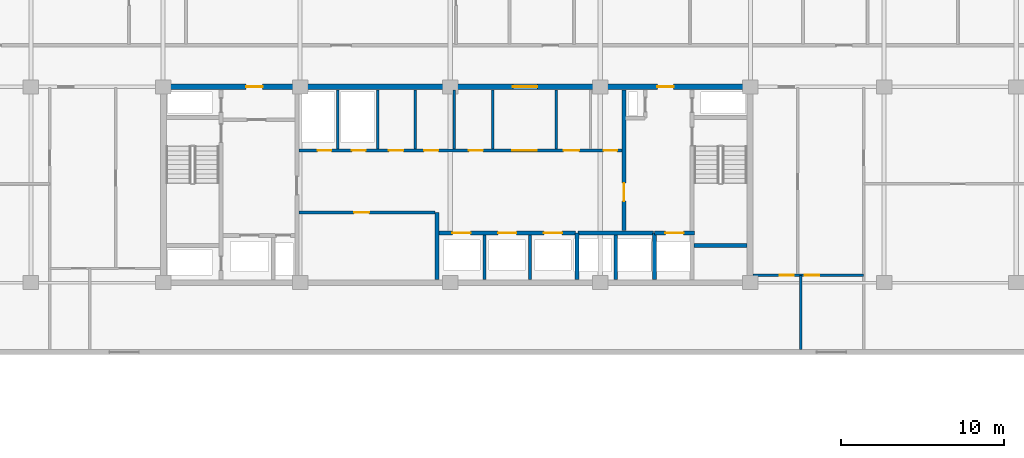
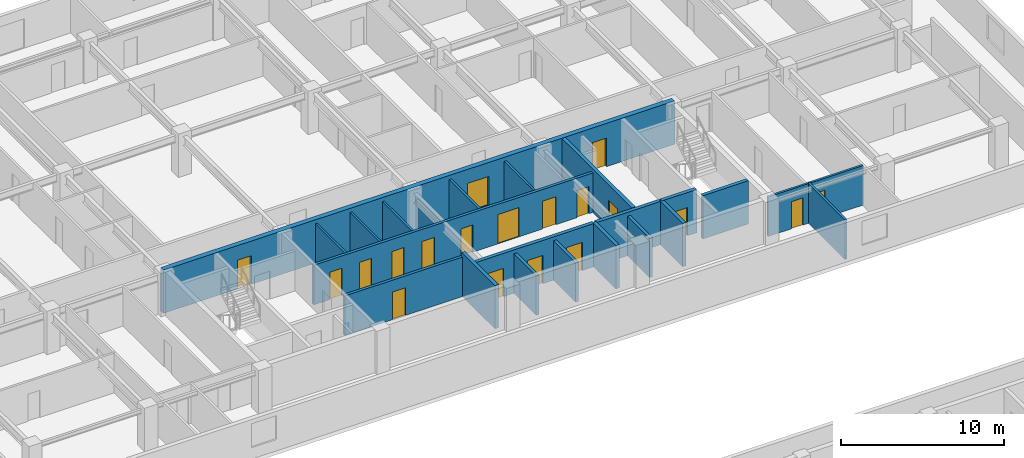
# One storey, part 11 of 21: 22 walls, 19 doors, 19 openings.
"""IFC4 building model written with IfcOpenShell, lengths in metres."""

from ifc_helpers import new_model, si_unit, direction, frame, frame_2d, origin, place, context, subcontext, project, spatial, rectangle, extrude, material, layer, layer_set, type_object, element, fill, save


model = new_model("IFC4")

# Units and contexts
model_context = context("Model", 3, precision=1e-05, world=origin(), true_north=direction((0.0, 1.0)))
body_context = subcontext(model_context, "Body", "Model", "MODEL_VIEW")
ifc_project = project(units=[si_unit("LENGTHUNIT", "METRE"), si_unit("AREAUNIT", "SQUARE_METRE"), si_unit("VOLUMEUNIT", "CUBIC_METRE"), si_unit("PLANEANGLEUNIT", "RADIAN"), si_unit("MASSUNIT", "GRAM", prefix="KILO")], contexts=[model_context])

# Site, building, storey
site_placement = place(None, origin())
site = spatial("IfcSite", under=ifc_project, at=site_placement, CompositionType="ELEMENT")
building_placement = place(site_placement, origin())
building = spatial("IfcBuilding", under=site, at=building_placement, Name="Korimba Cascade Residences", CompositionType="ELEMENT")
storey_placement = place(building_placement, frame((0.0, 0.0, 119.800048828125)))
storey = spatial("IfcBuildingStorey", under=building, at=storey_placement, Name="L34", CompositionType="ELEMENT", Elevation=119.800048828125)

# Wall, openings, doors
ifc_material_1 = material(Name="Concrete C65/80", Category="concrete")
ifc_layer_1 = layer(ifc_material_1, 0.35009765625)
ifc_layer_set_1 = layer_set([ifc_layer_1], Name="Concrete C65/80")
wall_type_1 = type_object("IfcWallType", Name="WAL-CORE-350", PredefinedType="SHEAR", material=ifc_layer_set_1)
wall_1_placement = place(storey_placement, frame((75.949951171875, 67.199951171875, 0.0), z_axis=(0.0, 0.0, 1.0), x_axis=(1.0, 0.0, 0.0)))
wall_1 = element("IfcWall", 1, at=wall_1_placement, inside=storey, type_object=wall_type_1, Name="L34 Core Shear Wall CW-L34-T1-N", PredefinedType="SHEAR", context=body_context, shape_type="SweptSolid", body=[
    extrude(rectangle(XDim=36.300048828125, YDim=0.35009765625, at=frame_2d((18.14990234375, 0.0))), origin(), (0.0, 0.0, 1.0), 3.25),
])
opening_1_placement = place(wall_1_placement, frame((5.25, 0.0, 0.0)))
opening_1 = element("IfcOpeningElement", 2, at=opening_1_placement, cuts=wall_1, Name="Opening D-FD5", PredefinedType="OPENING", context=body_context, shape_type="SweptSolid", body=[
    extrude(rectangle(XDim=1.0, YDim=2.14990234375, at=frame_2d((0.5, 1.074951171875))), frame((0.0, 0.18505859375, 0.0), z_axis=(0.0, -1.0, 0.0), x_axis=(1.0, 0.0, 0.0)), (0.0, 0.0, 1.0), 0.3701171875),
])
opening_2_placement = place(wall_1_placement, frame((21.60009765625, 0.0, 0.0)))
opening_2 = element("IfcOpeningElement", 3, at=opening_2_placement, cuts=wall_1, Name="Opening D-FD8", PredefinedType="OPENING", context=body_context, shape_type="SweptSolid", body=[
    extrude(rectangle(XDim=1.5, YDim=2.199951171875, at=frame_2d((0.75, 1.10009765625))), frame((0.0, 0.18505859375, 0.0), z_axis=(0.0, -1.0, 0.0), x_axis=(1.0, 0.0, 0.0)), (0.0, 0.0, 1.0), 0.3701171875),
])
opening_3_placement = place(wall_1_placement, frame((30.449951171875, 0.0, 0.0)))
opening_3 = element("IfcOpeningElement", 4, at=opening_3_placement, cuts=wall_1, Name="Opening D-FD5", PredefinedType="OPENING", context=body_context, shape_type="SweptSolid", body=[
    extrude(rectangle(XDim=1.0, YDim=2.14990234375, at=frame_2d((0.5, 1.074951171875))), frame((0.0, 0.18505859375, 0.0), z_axis=(0.0, -1.0, 0.0), x_axis=(1.0, 0.0, 0.0)), (0.0, 0.0, 1.0), 0.3701171875),
])
ifc_material_2 = material(Name="Fire-Rated Acoustic Timber Vestibule Door", Category="wood")
door_type_1 = type_object("IfcDoorType", Name="DR-FD90-1000", OperationType="NOTDEFINED", PredefinedType="DOOR", material=ifc_material_2)
door_1_placement = place(opening_1_placement, origin())
door_1 = element("IfcDoor", 5, at=door_1_placement, inside=storey, type_object=door_type_1, Name="L34 T1 West Core Vestibule Fire Door", OperationType="SINGLE_SWING_LEFT", OverallHeight=2.14990234375, OverallWidth=1.0, PredefinedType="DOOR", context=body_context, shape_type="SweptSolid", body=[
    extrude(rectangle(XDim=1.0, YDim=2.14990234375, at=frame_2d((0.5, 1.074951171875))), frame((0.0, 0.02490234375, 0.0), z_axis=(0.0, -1.0, 0.0), x_axis=(1.0, 0.0, 0.0)), (0.0, 0.0, 1.0), 0.050048828125),
])
fill(opening_1, door_1)
door_2_placement = place(opening_3_placement, origin())
door_2 = element("IfcDoor", 6, at=door_2_placement, inside=storey, type_object=door_type_1, Name="L34 T1 East Firefighting Vestibule Fire Door", OperationType="SINGLE_SWING_RIGHT", OverallHeight=2.14990234375, OverallWidth=1.0, PredefinedType="DOOR", context=body_context, shape_type="SweptSolid", body=[
    extrude(rectangle(XDim=1.0, YDim=2.14990234375, at=frame_2d((0.5, 1.074951171875))), frame((0.0, 0.02490234375, 0.0), z_axis=(0.0, -1.0, 0.0), x_axis=(1.0, 0.0, 0.0)), (0.0, 0.0, 1.0), 0.050048828125),
])
fill(opening_3, door_2)
ifc_material_3 = material(Name="Fire-Rated Glazed Lift Lobby Double Door", Category="glass")
door_type_2 = type_object("IfcDoorType", Name="DR-FD90-1500", OperationType="NOTDEFINED", PredefinedType="DOOR", material=ifc_material_3)
door_3_placement = place(opening_2_placement, origin())
door_3 = element("IfcDoor", 7, at=door_3_placement, inside=storey, type_object=door_type_2, Name="L34 T1 Lift Lobby Fire Door", OperationType="DOUBLE_DOOR_SINGLE_SWING", OverallHeight=2.199951171875, OverallWidth=1.5, PredefinedType="DOOR", context=body_context, shape_type="SweptSolid", body=[
    extrude(rectangle(XDim=1.5, YDim=2.199951171875, at=frame_2d((0.75, 1.10009765625))), frame((0.0, 0.02490234375, 0.0), z_axis=(0.0, -1.0, 0.0), x_axis=(1.0, 0.0, 0.0)), (0.0, 0.0, 1.0), 0.050048828125),
])
fill(opening_2, door_3)

# Walls
ifc_material_4 = material(Name="Insulated Acoustic Stud Partition", Category="gypsum")
ifc_layer_2 = layer(ifc_material_4, 0.14990234375)
ifc_layer_set_2 = layer_set([ifc_layer_2], Name="Insulated Acoustic Stud Partition")
wall_type_2 = type_object("IfcWallType", Name="WAL-PART-150", PredefinedType="PARTITIONING", material=ifc_layer_set_2)
for number, where, z_axis, x_axis, name in (
    (8, (86.800048828125, 63.39990234375, 0.0), (0.0, 0.0, 1.0), (0.0, 1.0, 0.0), "L34 Partition Wall CW-L34-T1-ERDIV"),
    (9, (89.25, 63.39990234375, 0.0), (0.0, 0.0, 1.0), (0.0, 1.0, 0.0), "L34 Partition Wall CW-L34-T1-PRDIV"),
    (10, (91.550048828125, 63.39990234375, 0.0), (0.0, 0.0, 1.0), (0.0, 1.0, 0.0), "L34 Partition Wall CW-L34-T1-CA1W1"),
):
    element("IfcWall", number, at=place(storey_placement, frame(where, z_axis=z_axis, x_axis=x_axis)), inside=storey, type_object=wall_type_2, Name=name, PredefinedType="PARTITIONING", context=body_context, shape_type="SweptSolid", body=[
        extrude(rectangle(XDim=3.60009765625, YDim=0.14990234375, at=frame_2d((1.800048828125, 0.0))), origin(), (0.0, 0.0, 1.0), 2.969970703125),
    ])
wall_2_placement = place(storey_placement, frame((93.949951171875, 63.39990234375, 0.0), z_axis=(0.0, 0.0, 1.0), x_axis=(0.0, 1.0, 0.0)))
element("IfcWall", 11, at=wall_2_placement, inside=storey, type_object=wall_type_2, Name="L34 Partition Wall CW-L34-T1-CA1W2", PredefinedType="PARTITIONING", context=body_context, shape_type="SweptSolid", body=[
    extrude(rectangle(XDim=3.60009765625, YDim=0.14990234375, at=frame_2d((1.800048828125, 0.0))), origin(), (0.0, 0.0, 1.0), 2.277099609375),
])
for number, where, z_axis, x_axis, name in (
    (12, (96.300048828125, 63.39990234375, 0.0), (0.0, 0.0, 1.0), (0.0, 1.0, 0.0), "L34 Partition Wall CW-L34-T1-THW"),
    (13, (100.199951171875, 63.39990234375, 0.0), (0.0, 0.0, 1.0), (0.0, 1.0, 0.0), "L34 Partition Wall CW-L34-T1-THE"),
):
    element("IfcWall", number, at=place(storey_placement, frame(where, z_axis=z_axis, x_axis=x_axis)), inside=storey, type_object=wall_type_2, Name=name, PredefinedType="PARTITIONING", context=body_context, shape_type="SweptSolid", body=[
        extrude(rectangle(XDim=3.60009765625, YDim=0.14990234375, at=frame_2d((1.800048828125, 0.0))), origin(), (0.0, 0.0, 1.0), 2.969970703125),
    ])
wall_3_placement = place(storey_placement, frame((115.199951171875, 51.10009765625, 0.0), z_axis=(0.0, 0.0, 1.0), x_axis=(0.0, 1.0, 0.0)))
element("IfcWall", 14, at=wall_3_placement, inside=storey, type_object=wall_type_2, Name="L34 Partition Wall WAL-L34-T1-FE-VS", PredefinedType="PARTITIONING", context=body_context, shape_type="SweptSolid", body=[
    extrude(rectangle(XDim=4.5498046875, YDim=0.14990234375, at=frame_2d((2.27490234375, 0.0))), origin(), (0.0, 0.0, 1.0), 2.969970703125),
])

# Wall, openings, doors
wall_4_placement = place(storey_placement, frame((112.27001953125, 55.64990234375, 0.0), z_axis=(0.0, 0.0, 1.0), x_axis=(1.0, 0.0, 0.0)))
wall_4 = element("IfcWall", 15, at=wall_4_placement, inside=storey, type_object=wall_type_2, Name="L34 Partition Wall WAL-L34-T1-FE-H", PredefinedType="PARTITIONING", context=body_context, shape_type="SweptSolid", body=[
    extrude(rectangle(XDim=6.760009765625, YDim=0.14990234375, at=frame_2d((3.3798828125, 0.0))), origin(), (0.0, 0.0, 1.0), 2.969970703125),
])
opening_4_placement = place(wall_4_placement, frame((1.6396484375, 0.0, 0.0)))
opening_4 = element("IfcOpeningElement", 16, at=opening_4_placement, cuts=wall_4, Name="Opening D-BT1", PredefinedType="OPENING", context=body_context, shape_type="SweptSolid", body=[
    extrude(rectangle(XDim=0.840087890625, YDim=2.0400390625, at=frame_2d((0.419921875, 1.02001953125))), frame((0.0, 0.0849609375, 0.0), z_axis=(0.0, -1.0, 0.0), x_axis=(1.0, 0.0, 0.0)), (0.0, 0.0, 1.0), 0.169921875),
])
opening_5_placement = place(wall_4_placement, frame((3.160400390625, 0.0, 0.0)))
opening_5 = element("IfcOpeningElement", 17, at=opening_5_placement, cuts=wall_4, Name="Opening D-IN2", PredefinedType="OPENING", context=body_context, shape_type="SweptSolid", body=[
    extrude(rectangle(XDim=0.8798828125, YDim=2.06005859375, at=frame_2d((0.43994140625, 1.030029296875))), frame((0.0, 0.0849609375, 0.0), z_axis=(0.0, -1.0, 0.0), x_axis=(1.0, 0.0, 0.0)), (0.0, 0.0, 1.0), 0.169921875),
])
ifc_material_5 = material(Name="Moisture-Resistant Bathroom Timber Door", Category="wood")
door_type_3 = type_object("IfcDoorType", Name="DR-INT-850", OperationType="NOTDEFINED", PredefinedType="DOOR", material=ifc_material_5)
door_4_placement = place(opening_4_placement, origin())
door_4 = element("IfcDoor", 18, at=door_4_placement, inside=storey, type_object=door_type_3, Name="L34-T1-FE Bathroom Door", OperationType="SINGLE_SWING_RIGHT", OverallHeight=2.0400390625, OverallWidth=0.840087890625, PredefinedType="DOOR", context=body_context, shape_type="SweptSolid", body=[
    extrude(rectangle(XDim=0.840087890625, YDim=2.0400390625, at=frame_2d((0.419921875, 1.02001953125))), frame((0.0, 0.02490234375, 0.0), z_axis=(0.0, -1.0, 0.0), x_axis=(1.0, 0.0, 0.0)), (0.0, 0.0, 1.0), 0.050048828125),
])
fill(opening_4, door_4)
ifc_material_6 = material(Name="Acoustic Timber Bedroom Door", Category="wood")
door_type_4 = type_object("IfcDoorType", Name="DR-INT-880", OperationType="NOTDEFINED", PredefinedType="DOOR", material=ifc_material_6)
door_5_placement = place(opening_5_placement, origin())
door_5 = element("IfcDoor", 19, at=door_5_placement, inside=storey, type_object=door_type_4, Name="L34-T1-FE Bedroom Door", OperationType="SINGLE_SWING_LEFT", OverallHeight=2.06005859375, OverallWidth=0.8798828125, PredefinedType="DOOR", context=body_context, shape_type="SweptSolid", body=[
    extrude(rectangle(XDim=0.8798828125, YDim=2.06005859375, at=frame_2d((0.43994140625, 1.030029296875))), frame((0.0, 0.02490234375, 0.0), z_axis=(0.0, -1.0, 0.0), x_axis=(1.0, 0.0, 0.0)), (0.0, 0.0, 1.0), 0.050048828125),
])
fill(opening_5, door_5)

# Wall, opening, door
ifc_material_7 = material(Name="Concrete C40/50", Category="concrete")
ifc_layer_3 = layer(ifc_material_7, 0.199951171875)
ifc_layer_set_3 = layer_set([ifc_layer_3], Name="Concrete C40/50")
wall_type_3 = type_object("IfcWallType", Name="WAL-PART-200", PredefinedType="PARTITIONING", material=ifc_layer_set_3)
wall_5_placement = place(storey_placement, frame((84.419921875, 59.5, 0.0), z_axis=(0.0, 0.0, 1.0), x_axis=(1.0, 0.0, 0.0)))
wall_5 = element("IfcWall", 20, at=wall_5_placement, inside=storey, type_object=wall_type_3, Name="L34 Partition Wall CW-L34-T1-B1RN", PredefinedType="PARTITIONING", context=body_context, shape_type="SweptSolid", body=[
    extrude(rectangle(XDim=8.360107421875, YDim=0.199951171875, at=frame_2d((4.18017578125, 0.0))), origin(), (0.0, 0.0, 1.0), 2.969970703125),
])
opening_6_placement = place(wall_5_placement, frame((3.39990234375, 0.0, 0.0)))
opening_6 = element("IfcOpeningElement", 21, at=opening_6_placement, cuts=wall_5, Name="Opening D-ST1", PredefinedType="OPENING", context=body_context, shape_type="SweptSolid", body=[
    extrude(rectangle(XDim=0.919921875, YDim=2.080078125, at=frame_2d((0.4599609375, 1.0400390625))), frame((0.0, 0.10986328125, 0.0), z_axis=(0.0, -1.0, 0.0), x_axis=(1.0, 0.0, 0.0)), (0.0, 0.0, 1.0), 0.219970703125),
])
ifc_material_8 = material(Name="Fire-Rated Core Store Door", Category="wood")
door_type_5 = type_object("IfcDoorType", Name="DR-FD60-920", OperationType="NOTDEFINED", PredefinedType="DOOR", material=ifc_material_8)
door_6_placement = place(opening_6_placement, origin())
door_6 = element("IfcDoor", 22, at=door_6_placement, inside=storey, type_object=door_type_5, Name="L34 Resident Storage Door", OperationType="SINGLE_SWING_LEFT", OverallHeight=2.080078125, OverallWidth=0.919921875, PredefinedType="DOOR", context=body_context, shape_type="SweptSolid", body=[
    extrude(rectangle(XDim=0.919921875, YDim=2.080078125, at=frame_2d((0.4599609375, 1.0400390625))), frame((0.0, 0.02490234375, 0.0), z_axis=(0.0, -1.0, 0.0), x_axis=(1.0, 0.0, 0.0)), (0.0, 0.0, 1.0), 0.050048828125),
])
fill(opening_6, door_6)

# Walls
for number, where, z_axis, x_axis, name in (
    (23, (95.800048828125, 55.39990234375, 0.0), (0.0, 0.0, 1.0), (0.0, 1.0, 0.0), "L34 Partition Wall CW-L34-T1-B2D1"),
    (24, (98.60009765625, 55.39990234375, 0.0), (0.0, 0.0, 1.0), (0.0, 1.0, 0.0), "L34 Partition Wall CW-L34-T1-B2D2"),
    (25, (103.85009765625, 55.39990234375, 0.0), (0.0, 0.0, 1.0), (0.0, 1.0, 0.0), "L34 Partition Wall CW-L34-T1-B3D1"),
):
    element("IfcWall", number, at=place(storey_placement, frame(where, z_axis=z_axis, x_axis=x_axis)), inside=storey, type_object=wall_type_3, Name=name, PredefinedType="PARTITIONING", context=body_context, shape_type="SweptSolid", body=[
        extrude(rectangle(XDim=2.72021484375, YDim=0.199951171875, at=frame_2d((1.360107421875, 0.0))), origin(), (0.0, 0.0, 1.0), 2.969970703125),
    ])

# Wall, openings, doors
wall_6_placement = place(storey_placement, frame((84.419921875, 63.300048828125, 0.0), z_axis=(0.0, 0.0, 1.0), x_axis=(1.0, 0.0, 0.0)))
wall_6 = element("IfcWall", 26, at=wall_6_placement, inside=storey, type_object=wall_type_3, Name="L34 Partition Wall CW-L34-T1-SRVROW", PredefinedType="PARTITIONING", context=body_context, shape_type="SweptSolid", body=[
    extrude(rectangle(XDim=19.830078125, YDim=0.199951171875, at=frame_2d((9.9150390625, 0.0))), origin(), (0.0, 0.0, 1.0), 2.969970703125),
])
opening_7_placement = place(wall_6_placement, frame((1.14990234375, 0.0, 0.0)))
opening_7 = element("IfcOpeningElement", 27, at=opening_7_placement, cuts=wall_6, Name="Opening D-RS1", PredefinedType="OPENING", context=body_context, shape_type="SweptSolid", body=[
    extrude(rectangle(XDim=0.85009765625, YDim=2.050048828125, at=frame_2d((0.425048828125, 1.02490234375))), frame((0.0, 0.10986328125, 0.0), z_axis=(0.0, -1.0, 0.0), x_axis=(1.0, 0.0, 0.0)), (0.0, 0.0, 1.0), 0.219970703125),
])
opening_8_placement = place(wall_6_placement, frame((3.25, 0.0, 0.0)))
opening_8 = element("IfcOpeningElement", 28, at=opening_8_placement, cuts=wall_6, Name="Opening D-RS1", PredefinedType="OPENING", context=body_context, shape_type="SweptSolid", body=[
    extrude(rectangle(XDim=0.85009765625, YDim=2.050048828125, at=frame_2d((0.425048828125, 1.02490234375))), frame((0.0, 0.10986328125, 0.0), z_axis=(0.0, -1.0, 0.0), x_axis=(1.0, 0.0, 0.0)), (0.0, 0.0, 1.0), 0.219970703125),
])
opening_9_placement = place(wall_6_placement, frame((13.080078125, 0.0, 0.0)))
opening_9 = element("IfcOpeningElement", 29, at=opening_9_placement, cuts=wall_6, Name="Opening D-FD8", PredefinedType="OPENING", context=body_context, shape_type="SweptSolid", body=[
    extrude(rectangle(XDim=1.5, YDim=2.199951171875, at=frame_2d((0.75, 1.10009765625))), frame((0.0, 0.10986328125, 0.0), z_axis=(0.0, -1.0, 0.0), x_axis=(1.0, 0.0, 0.0)), (0.0, 0.0, 1.0), 0.219970703125),
])
opening_10_placement = place(wall_6_placement, frame((5.530029296875, 0.0, 0.0)))
opening_10 = element("IfcOpeningElement", 30, at=opening_10_placement, cuts=wall_6, Name="Opening D-IN2", PredefinedType="OPENING", context=body_context, shape_type="SweptSolid", body=[
    extrude(rectangle(XDim=0.8798828125, YDim=2.06005859375, at=frame_2d((0.43994140625, 1.030029296875))), frame((0.0, 0.10986328125, 0.0), z_axis=(0.0, -1.0, 0.0), x_axis=(1.0, 0.0, 0.0)), (0.0, 0.0, 1.0), 0.219970703125),
])
opening_11_placement = place(wall_6_placement, frame((7.679931640625, 0.0, 0.0)))
opening_11 = element("IfcOpeningElement", 31, at=opening_11_placement, cuts=wall_6, Name="Opening D-IN2", PredefinedType="OPENING", context=body_context, shape_type="SweptSolid", body=[
    extrude(rectangle(XDim=0.8798828125, YDim=2.06005859375, at=frame_2d((0.43994140625, 1.030029296875))), frame((0.0, 0.10986328125, 0.0), z_axis=(0.0, -1.0, 0.0), x_axis=(1.0, 0.0, 0.0)), (0.0, 0.0, 1.0), 0.219970703125),
])
opening_12_placement = place(wall_6_placement, frame((10.429931640625, 0.0, 0.0)))
opening_12 = element("IfcOpeningElement", 32, at=opening_12_placement, cuts=wall_6, Name="Opening D-RS1", PredefinedType="OPENING", context=body_context, shape_type="SweptSolid", body=[
    extrude(rectangle(XDim=0.85009765625, YDim=2.050048828125, at=frame_2d((0.425048828125, 1.02490234375))), frame((0.0, 0.10986328125, 0.0), z_axis=(0.0, -1.0, 0.0), x_axis=(1.0, 0.0, 0.0)), (0.0, 0.0, 1.0), 0.219970703125),
])
opening_13_placement = place(wall_6_placement, frame((16.22998046875, 0.0, 0.0)))
opening_13 = element("IfcOpeningElement", 33, at=opening_13_placement, cuts=wall_6, Name="Opening D-AC1", PredefinedType="OPENING", context=body_context, shape_type="SweptSolid", body=[
    extrude(rectangle(XDim=0.9599609375, YDim=2.10009765625, at=frame_2d((0.47998046875, 1.050048828125))), frame((0.0, 0.10986328125, 0.0), z_axis=(0.0, -1.0, 0.0), x_axis=(1.0, 0.0, 0.0)), (0.0, 0.0, 1.0), 0.219970703125),
])
opening_14_placement = place(wall_6_placement, frame((18.679931640625, 0.0, 0.0)))
opening_14 = element("IfcOpeningElement", 34, at=opening_14_placement, cuts=wall_6, Name="Opening D-BT1", PredefinedType="OPENING", context=body_context, shape_type="SweptSolid", body=[
    extrude(rectangle(XDim=0.840087890625, YDim=2.0400390625, at=frame_2d((0.419921875, 1.02001953125))), frame((0.0, 0.10986328125, 0.0), z_axis=(0.0, -1.0, 0.0), x_axis=(1.0, 0.0, 0.0)), (0.0, 0.0, 1.0), 0.219970703125),
])
ifc_material_9 = material(Name="Accessible Acoustic Timber WC Door", Category="wood")
door_type_6 = type_object("IfcDoorType", Name="DR-ACC-950", OperationType="NOTDEFINED", PredefinedType="DOOR", material=ifc_material_9)
door_7_placement = place(opening_13_placement, origin())
door_7 = element("IfcDoor", 35, at=door_7_placement, inside=storey, type_object=door_type_6, Name="L34 Accessible Staff WC Door", OperationType="SINGLE_SWING_LEFT", OverallHeight=2.10009765625, OverallWidth=0.9599609375, PredefinedType="DOOR", context=body_context, shape_type="SweptSolid", body=[
    extrude(rectangle(XDim=0.9599609375, YDim=2.10009765625, at=frame_2d((0.47998046875, 1.050048828125))), frame((0.0, 0.02490234375, 0.0), z_axis=(0.0, -1.0, 0.0), x_axis=(1.0, 0.0, 0.0)), (0.0, 0.0, 1.0), 0.050048828125),
])
fill(opening_13, door_7)
ifc_material_10 = material(Name="Fire-Rated Steel Riser Access Door", Category="steel")
door_type_7 = type_object("IfcDoorType", Name="DR-FD60-850", OperationType="NOTDEFINED", PredefinedType="DOOR", material=ifc_material_10)
door_8_placement = place(opening_7_placement, origin())
door_8 = element("IfcDoor", 36, at=door_8_placement, inside=storey, type_object=door_type_7, Name="L34 Electrical Riser Door", OperationType="SINGLE_SWING_RIGHT", OverallHeight=2.050048828125, OverallWidth=0.85009765625, PredefinedType="DOOR", context=body_context, shape_type="SweptSolid", body=[
    extrude(rectangle(XDim=0.85009765625, YDim=2.050048828125, at=frame_2d((0.425048828125, 1.02490234375))), frame((0.0, 0.02490234375, 0.0), z_axis=(0.0, -1.0, 0.0), x_axis=(1.0, 0.0, 0.0)), (0.0, 0.0, 1.0), 0.050048828125),
])
fill(opening_7, door_8)
door_9_placement = place(opening_8_placement, origin())
door_9 = element("IfcDoor", 37, at=door_9_placement, inside=storey, type_object=door_type_7, Name="L34 Plumbing Riser Door", OperationType="SINGLE_SWING_LEFT", OverallHeight=2.050048828125, OverallWidth=0.85009765625, PredefinedType="DOOR", context=body_context, shape_type="SweptSolid", body=[
    extrude(rectangle(XDim=0.85009765625, YDim=2.050048828125, at=frame_2d((0.425048828125, 1.02490234375))), frame((0.0, 0.02490234375, 0.0), z_axis=(0.0, -1.0, 0.0), x_axis=(1.0, 0.0, 0.0)), (0.0, 0.0, 1.0), 0.050048828125),
])
fill(opening_8, door_9)
door_10_placement = place(opening_12_placement, origin())
door_10 = element("IfcDoor", 38, at=door_10_placement, inside=storey, type_object=door_type_7, Name="L34 IT Room Door", OperationType="SINGLE_SWING_RIGHT", OverallHeight=2.050048828125, OverallWidth=0.85009765625, PredefinedType="DOOR", context=body_context, shape_type="SweptSolid", body=[
    extrude(rectangle(XDim=0.85009765625, YDim=2.050048828125, at=frame_2d((0.425048828125, 1.02490234375))), frame((0.0, 0.02490234375, 0.0), z_axis=(0.0, -1.0, 0.0), x_axis=(1.0, 0.0, 0.0)), (0.0, 0.0, 1.0), 0.050048828125),
])
fill(opening_12, door_10)
door_11_placement = place(opening_9_placement, origin())
door_11 = element("IfcDoor", 39, at=door_11_placement, inside=storey, type_object=door_type_2, Name="L34 Lift Lobby Foyer Archway Door", OperationType="DOUBLE_DOOR_SINGLE_SWING", OverallHeight=2.199951171875, OverallWidth=1.5, PredefinedType="DOOR", context=body_context, shape_type="SweptSolid", body=[
    extrude(rectangle(XDim=1.5, YDim=2.199951171875, at=frame_2d((0.75, 1.10009765625))), frame((0.0, 0.02490234375, 0.0), z_axis=(0.0, -1.0, 0.0), x_axis=(1.0, 0.0, 0.0)), (0.0, 0.0, 1.0), 0.050048828125),
])
fill(opening_9, door_11)
door_12_placement = place(opening_14_placement, origin())
door_12 = element("IfcDoor", 40, at=door_12_placement, inside=storey, type_object=door_type_3, Name="L34 Vending Room Door", OperationType="SINGLE_SWING_RIGHT", OverallHeight=2.0400390625, OverallWidth=0.840087890625, PredefinedType="DOOR", context=body_context, shape_type="SweptSolid", body=[
    extrude(rectangle(XDim=0.840087890625, YDim=2.0400390625, at=frame_2d((0.419921875, 1.02001953125))), frame((0.0, 0.02490234375, 0.0), z_axis=(0.0, -1.0, 0.0), x_axis=(1.0, 0.0, 0.0)), (0.0, 0.0, 1.0), 0.050048828125),
])
fill(opening_14, door_12)
door_13_placement = place(opening_10_placement, origin())
door_13 = element("IfcDoor", 41, at=door_13_placement, inside=storey, type_object=door_type_4, Name="L34 Cleaners Door", OperationType="SINGLE_SWING_RIGHT", OverallHeight=2.06005859375, OverallWidth=0.8798828125, PredefinedType="DOOR", context=body_context, shape_type="SweptSolid", body=[
    extrude(rectangle(XDim=0.8798828125, YDim=2.06005859375, at=frame_2d((0.43994140625, 1.030029296875))), frame((0.0, 0.02490234375, 0.0), z_axis=(0.0, -1.0, 0.0), x_axis=(1.0, 0.0, 0.0)), (0.0, 0.0, 1.0), 0.050048828125),
])
fill(opening_10, door_13)
door_14_placement = place(opening_11_placement, origin())
door_14 = element("IfcDoor", 42, at=door_14_placement, inside=storey, type_object=door_type_4, Name="L34 Pantry Door", OperationType="SINGLE_SWING_LEFT", OverallHeight=2.06005859375, OverallWidth=0.8798828125, PredefinedType="DOOR", context=body_context, shape_type="SweptSolid", body=[
    extrude(rectangle(XDim=0.8798828125, YDim=2.06005859375, at=frame_2d((0.43994140625, 1.030029296875))), frame((0.0, 0.02490234375, 0.0), z_axis=(0.0, -1.0, 0.0), x_axis=(1.0, 0.0, 0.0)), (0.0, 0.0, 1.0), 0.050048828125),
])
fill(opening_11, door_14)

# Wall
ifc_material_11 = material(Name="Concrete C50/60", Category="concrete")
ifc_layer_4 = layer(ifc_material_11, 0.25)
ifc_layer_set_4 = layer_set([ifc_layer_4], Name="Concrete C50/60")
wall_type_4 = type_object("IfcWallType", Name="WAL-SHAFT-250", PredefinedType="SHEAR", material=ifc_layer_set_4)
wall_7_placement = place(storey_placement, frame((92.89990234375, 55.39990234375, 0.0), z_axis=(0.0, 0.0, 1.0), x_axis=(0.0, 1.0, 0.0)))
element("IfcWall", 43, at=wall_7_placement, inside=storey, type_object=wall_type_4, Name="L34 Core Shear Wall CW-L34-T1-B12DIV", PredefinedType="SHEAR", context=body_context, shape_type="SweptSolid", body=[
    extrude(rectangle(XDim=4.10009765625, YDim=0.25, at=frame_2d((2.050048828125, 0.0))), origin(), (0.0, 0.0, 1.0), 3.25),
])

# Wall, openings, doors
wall_8_placement = place(storey_placement, frame((93.02001953125, 58.25, 0.0), z_axis=(0.0, 0.0, 1.0), x_axis=(1.0, 0.0, 0.0)))
wall_8 = element("IfcWall", 44, at=wall_8_placement, inside=storey, type_object=wall_type_4, Name="L34 Core Shear Wall CW-L34-T1-B2N", PredefinedType="SHEAR", context=body_context, shape_type="SweptSolid", body=[
    extrude(rectangle(XDim=8.35986328125, YDim=0.25, at=frame_2d((4.179931640625, 0.0))), origin(), (0.0, 0.0, 1.0), 3.25),
])
opening_15_placement = place(wall_8_placement, frame((0.820068359375, 0.0, 0.0)))
opening_15 = element("IfcOpeningElement", 45, at=opening_15_placement, cuts=wall_8, Name="Opening LD-01", PredefinedType="OPENING", context=body_context, shape_type="SweptSolid", body=[
    extrude(rectangle(XDim=1.1201171875, YDim=2.1201171875, at=frame_2d((0.56005859375, 1.06005859375))), frame((0.0, 0.135009765625, 0.0), z_axis=(0.0, -1.0, 0.0), x_axis=(1.0, 0.0, 0.0)), (0.0, 0.0, 1.0), 0.27001953125),
])
opening_16_placement = place(wall_8_placement, frame((3.6201171875, 0.0, 0.0)))
opening_16 = element("IfcOpeningElement", 46, at=opening_16_placement, cuts=wall_8, Name="Opening LD-01", PredefinedType="OPENING", context=body_context, shape_type="SweptSolid", body=[
    extrude(rectangle(XDim=1.1201171875, YDim=2.1201171875, at=frame_2d((0.56005859375, 1.06005859375))), frame((0.0, 0.135009765625, 0.0), z_axis=(0.0, -1.0, 0.0), x_axis=(1.0, 0.0, 0.0)), (0.0, 0.0, 1.0), 0.27001953125),
])
opening_17_placement = place(wall_8_placement, frame((6.419921875, 0.0, 0.0)))
opening_17 = element("IfcOpeningElement", 47, at=opening_17_placement, cuts=wall_8, Name="Opening LD-01", PredefinedType="OPENING", context=body_context, shape_type="SweptSolid", body=[
    extrude(rectangle(XDim=1.1201171875, YDim=2.1201171875, at=frame_2d((0.56005859375, 1.06005859375))), frame((0.0, 0.135009765625, 0.0), z_axis=(0.0, -1.0, 0.0), x_axis=(1.0, 0.0, 0.0)), (0.0, 0.0, 1.0), 0.27001953125),
])
ifc_material_12 = material(Name="Stainless Steel Lift Landing Sliding Door", Category="steel")
door_type_8 = type_object("IfcDoorType", Name="DR-LIFT-1100", OperationType="NOTDEFINED", PredefinedType="DOOR", material=ifc_material_12)
door_15_placement = place(opening_15_placement, origin())
door_15 = element("IfcDoor", 48, at=door_15_placement, inside=storey, type_object=door_type_8, Name="L34 Lift Landing Door PL-W4", OperationType="SLIDING_TO_RIGHT", OverallHeight=2.1201171875, OverallWidth=1.1201171875, PredefinedType="DOOR", context=body_context, shape_type="SweptSolid", body=[
    extrude(rectangle(XDim=1.1201171875, YDim=2.1201171875, at=frame_2d((0.56005859375, 1.06005859375))), frame((0.0, 0.02490234375, 0.0), z_axis=(0.0, -1.0, 0.0), x_axis=(1.0, 0.0, 0.0)), (0.0, 0.0, 1.0), 0.050048828125),
])
fill(opening_15, door_15)
door_16_placement = place(opening_16_placement, origin())
door_16 = element("IfcDoor", 49, at=door_16_placement, inside=storey, type_object=door_type_8, Name="L34 Lift Landing Door PL-W5", OperationType="SLIDING_TO_RIGHT", OverallHeight=2.1201171875, OverallWidth=1.1201171875, PredefinedType="DOOR", context=body_context, shape_type="SweptSolid", body=[
    extrude(rectangle(XDim=1.1201171875, YDim=2.1201171875, at=frame_2d((0.56005859375, 1.06005859375))), frame((0.0, 0.02490234375, 0.0), z_axis=(0.0, -1.0, 0.0), x_axis=(1.0, 0.0, 0.0)), (0.0, 0.0, 1.0), 0.050048828125),
])
fill(opening_16, door_16)
door_17_placement = place(opening_17_placement, origin())
door_17 = element("IfcDoor", 50, at=door_17_placement, inside=storey, type_object=door_type_8, Name="L34 Lift Landing Door PL-W6", OperationType="SLIDING_TO_RIGHT", OverallHeight=2.1201171875, OverallWidth=1.1201171875, PredefinedType="DOOR", context=body_context, shape_type="SweptSolid", body=[
    extrude(rectangle(XDim=1.1201171875, YDim=2.1201171875, at=frame_2d((0.56005859375, 1.06005859375))), frame((0.0, 0.02490234375, 0.0), z_axis=(0.0, -1.0, 0.0), x_axis=(1.0, 0.0, 0.0)), (0.0, 0.0, 1.0), 0.050048828125),
])
fill(opening_17, door_17)

# Walls
wall_9_placement = place(storey_placement, frame((101.47998046875, 55.39990234375, 0.0), z_axis=(0.0, 0.0, 1.0), x_axis=(0.0, 1.0, 0.0)))
element("IfcWall", 51, at=wall_9_placement, inside=storey, type_object=wall_type_4, Name="L34 Core Shear Wall CW-L34-T1-B23DIV", PredefinedType="SHEAR", context=body_context, shape_type="SweptSolid", body=[
    extrude(rectangle(XDim=2.85009765625, YDim=0.25, at=frame_2d((1.425048828125, 0.0))), origin(), (0.0, 0.0, 1.0), 3.25),
])
wall_10_placement = place(storey_placement, frame((101.550048828125, 58.25, 0.0), z_axis=(0.0, 0.0, 1.0), x_axis=(1.0, 0.0, 0.0)))
element("IfcWall", 52, at=wall_10_placement, inside=storey, type_object=wall_type_4, Name="L34 Core Shear Wall CW-L34-T1-B3N", PredefinedType="SHEAR", context=body_context, shape_type="SweptSolid", body=[
    extrude(rectangle(XDim=4.599853515625, YDim=0.25, at=frame_2d((2.2998046875, 0.0))), origin(), (0.0, 0.0, 1.0), 3.25),
])
wall_11_placement = place(storey_placement, frame((106.219970703125, 55.39990234375, 0.0), z_axis=(0.0, 0.0, 1.0), x_axis=(0.0, 1.0, 0.0)))
element("IfcWall", 53, at=wall_11_placement, inside=storey, type_object=wall_type_4, Name="L34 Core Shear Wall CW-L34-T1-FF2W", PredefinedType="SHEAR", context=body_context, shape_type="SweptSolid", body=[
    extrude(rectangle(XDim=2.85009765625, YDim=0.25, at=frame_2d((1.425048828125, 0.0))), origin(), (0.0, 0.0, 1.0), 3.25),
])

# Wall, opening, door
wall_12_placement = place(storey_placement, frame((106.219970703125, 58.25, 0.0), z_axis=(0.0, 0.0, 1.0), x_axis=(1.0, 0.0, 0.0)))
wall_12 = element("IfcWall", 54, at=wall_12_placement, inside=storey, type_object=wall_type_4, Name="L34 Core Shear Wall CW-L34-T1-FF2N", PredefinedType="SHEAR", context=body_context, shape_type="SweptSolid", body=[
    extrude(rectangle(XDim=2.4599609375, YDim=0.25, at=frame_2d((1.22998046875, 0.0))), origin(), (0.0, 0.0, 1.0), 3.25),
])
opening_18_placement = place(wall_12_placement, frame((0.669921875, 0.0, 0.0)))
opening_18 = element("IfcOpeningElement", 55, at=opening_18_placement, cuts=wall_12, Name="Opening LD-01", PredefinedType="OPENING", context=body_context, shape_type="SweptSolid", body=[
    extrude(rectangle(XDim=1.1201171875, YDim=2.1201171875, at=frame_2d((0.56005859375, 1.06005859375))), frame((0.0, 0.135009765625, 0.0), z_axis=(0.0, -1.0, 0.0), x_axis=(1.0, 0.0, 0.0)), (0.0, 0.0, 1.0), 0.27001953125),
])
door_18_placement = place(opening_18_placement, origin())
door_18 = element("IfcDoor", 56, at=door_18_placement, inside=storey, type_object=door_type_8, Name="L34 Firefighting Lift Landing Door FFL-W2", OperationType="SLIDING_TO_RIGHT", OverallHeight=2.1201171875, OverallWidth=1.1201171875, PredefinedType="DOOR", context=body_context, shape_type="SweptSolid", body=[
    extrude(rectangle(XDim=1.1201171875, YDim=2.1201171875, at=frame_2d((0.56005859375, 1.06005859375))), frame((0.0, 0.02490234375, 0.0), z_axis=(0.0, -1.0, 0.0), x_axis=(1.0, 0.0, 0.0)), (0.0, 0.0, 1.0), 0.050048828125),
])
fill(opening_18, door_18)

wall_13_placement = place(storey_placement, frame((104.35009765625, 58.39990234375, 0.0), z_axis=(0.0, 0.0, 1.0), x_axis=(0.0, 1.0, 0.0)))
wall_13 = element("IfcWall", 57, at=wall_13_placement, inside=storey, type_object=wall_type_4, Name="L34 Core Shear Wall CW-L34-T1-LLEV", PredefinedType="SHEAR", context=body_context, shape_type="SweptSolid", body=[
    extrude(rectangle(XDim=8.60009765625, YDim=0.25, at=frame_2d((4.300048828125, 0.0))), origin(), (0.0, 0.0, 1.0), 3.25),
])
opening_19_placement = place(wall_13_placement, frame((1.800048828125, 0.0, 0.0)))
opening_19 = element("IfcOpeningElement", 58, at=opening_19_placement, cuts=wall_13, Name="Opening D-FD1", PredefinedType="OPENING", context=body_context, shape_type="SweptSolid", body=[
    extrude(rectangle(XDim=1.10009765625, YDim=2.10009765625, at=frame_2d((0.550048828125, 1.050048828125))), frame((0.0, 0.135009765625, 0.0), z_axis=(0.0, -1.0, 0.0), x_axis=(1.0, 0.0, 0.0)), (0.0, 0.0, 1.0), 0.27001953125),
])
ifc_material_13 = material(Name="Fire-Rated Steel Core Door", Category="steel")
door_type_9 = type_object("IfcDoorType", Name="DR-FD120-1100", OperationType="NOTDEFINED", PredefinedType="DOOR", material=ifc_material_13)
door_19_placement = place(opening_19_placement, origin())
door_19 = element("IfcDoor", 59, at=door_19_placement, inside=storey, type_object=door_type_9, Name="L34 Lift Lobby to East Firefighting Lobby Door", OperationType="SINGLE_SWING_RIGHT", OverallHeight=2.10009765625, OverallWidth=1.10009765625, PredefinedType="DOOR", context=body_context, shape_type="SweptSolid", body=[
    extrude(rectangle(XDim=1.10009765625, YDim=2.10009765625, at=frame_2d((0.550048828125, 1.050048828125))), frame((0.0, 0.02490234375, 0.0), z_axis=(0.0, -1.0, 0.0), x_axis=(1.0, 0.0, 0.0)), (0.0, 0.0, 1.0), 0.050048828125),
])
fill(opening_19, door_19)

# Wall
wall_14_placement = place(storey_placement, frame((108.659912109375, 57.47509765625, 0.0), z_axis=(0.0, 0.0, 1.0), x_axis=(1.0, 0.0, 0.0)))
element("IfcWall", 60, at=wall_14_placement, inside=storey, type_object=wall_type_4, Name="L34 Core Shear Wall CW-L34-T1-STW2S", PredefinedType="SHEAR", context=body_context, shape_type="SweptSolid", body=[
    extrude(rectangle(XDim=3.239990234375, YDim=0.25, at=frame_2d((1.6201171875, 0.0))), origin(), (0.0, 0.0, 1.0), 3.25),
])

save(model, "model.ifc")
